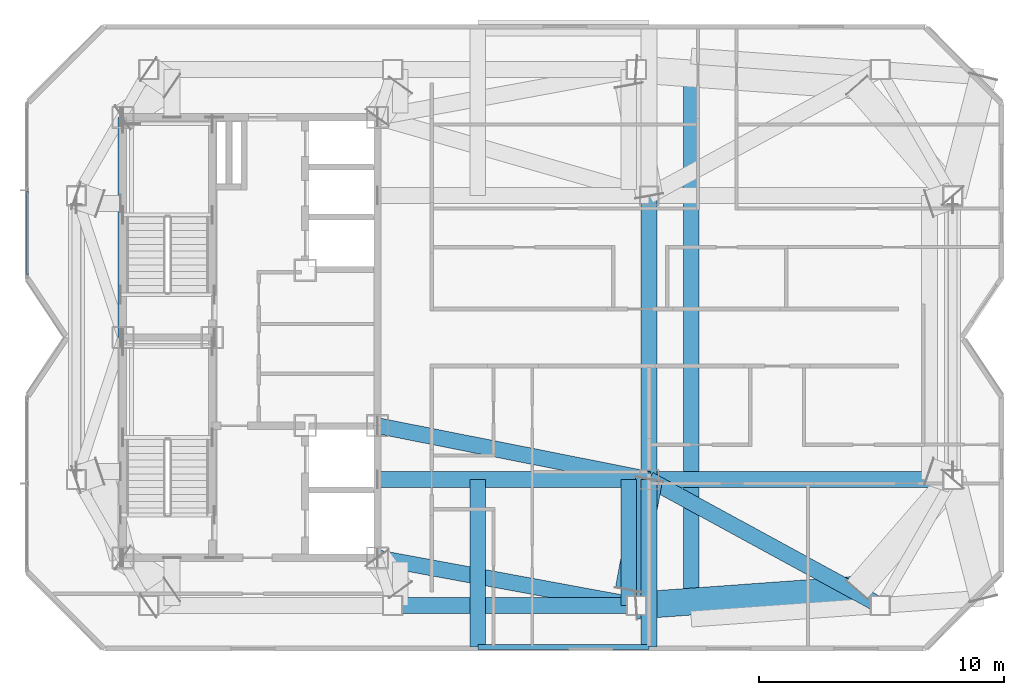
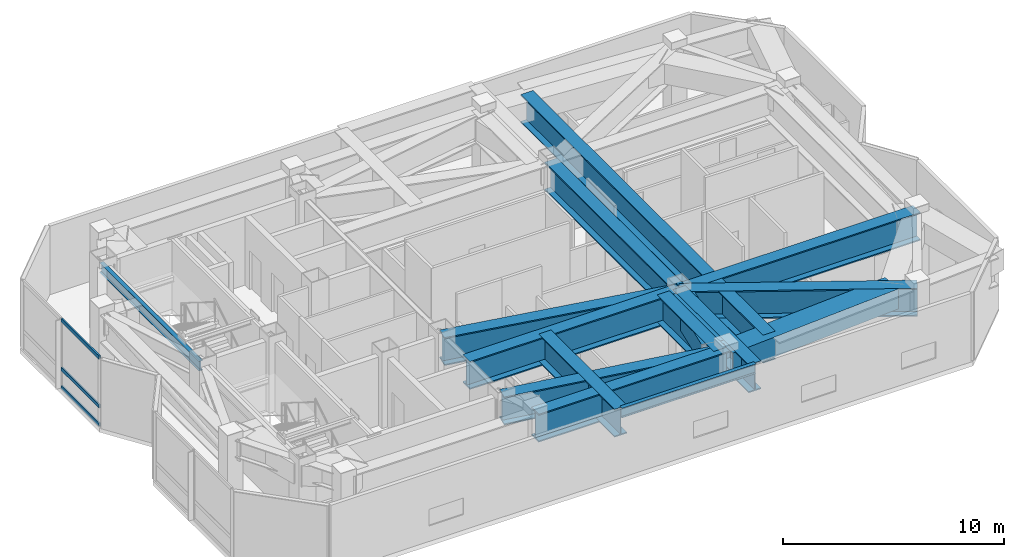
# One storey, part 4 of 15: 15 beams, 3 members, 1 element without a shape of its own.
"""IFC4 building model written with IfcOpenShell, lengths in metres."""

import ifcopenshell
import ifcopenshell.guid

model = None  # the IFC model being written
_history = None  # IfcOwnerHistory: only IFC2X3 demands one
_inside = {}  # id of a spatial element -> (the spatial element, [elements in it])
_under = {}  # id of a project, library or spatial element -> (it, [spatial elements below it])
_declared = {}  # id of a project -> (the project, [libraries it declares])
_typed = {}  # id of a type object -> (the type object, [elements of that type])
_made_of = {}  # id of a material, layer set ... -> (it, [elements and type objects made of it])


def new_model(schema):
    """Start an empty IFC model of exactly this schema.

    Asked for "IFC4X3", IfcOpenShell would pick the latest addendum, in which some entities
    have other attributes; the version numbers below select the first issue.
    IFC2X3 requires an IfcOwnerHistory on every rooted entity: one is made here for all.
    """
    global model, _history
    if schema == "IFC4X3":
        model = ifcopenshell.file(schema_version=(4, 3, 0, 0))
    else:
        model = ifcopenshell.file(schema=schema)
    _inside.clear()
    _under.clear()
    _declared.clear()
    _typed.clear()
    _made_of.clear()
    _history = None
    if model.schema == "IFC2X3":
        org = make("IfcOrganization", Name="unknown")
        user = make(
            "IfcPersonAndOrganization",
            ThePerson=make("IfcPerson", FamilyName="unknown"),
            TheOrganization=org,
        )
        app = make(
            "IfcApplication",
            ApplicationDeveloper=org,
            Version="unknown",
            ApplicationFullName="unknown",
            ApplicationIdentifier="unknown",
        )
        _history = make(
            "IfcOwnerHistory",
            OwningUser=user,
            OwningApplication=app,
            ChangeAction="ADDED",
            CreationDate=0,
        )
    return model


def make(cls, **values):
    """One entity of the class cls with the attributes given. An attribute that is None is left unset."""
    return model.create_entity(
        cls, **{name: value for name, value in values.items() if value is not None}
    )


def rooted(cls, **values):
    """An entity with a GlobalId (a new one), such as an element, a storey or a relation."""
    return make(cls, GlobalId=ifcopenshell.guid.new(), OwnerHistory=_history, **values)


def si_unit(unit_type, name, prefix=None):
    """IfcSIUnit, for example si_unit("LENGTHUNIT", "METRE", prefix="MILLI")."""
    return make("IfcSIUnit", UnitType=unit_type, Prefix=prefix, Name=name)


def assignment(units):
    """IfcUnitAssignment: the units of a project."""
    return None if units is None else make("IfcUnitAssignment", Units=units)


def point(xyz):
    """IfcCartesianPoint."""
    return None if xyz is None else make("IfcCartesianPoint", Coordinates=xyz)


def direction(xyz):
    """IfcDirection."""
    return None if xyz is None else make("IfcDirection", DirectionRatios=xyz)


def frame(location, z_axis=None, x_axis=None):
    """IfcAxis2Placement3D, a coordinate frame: its origin and axes. An axis left out is left unset."""
    return make(
        "IfcAxis2Placement3D",
        Location=point(location),
        Axis=direction(z_axis),
        RefDirection=direction(x_axis),
    )


def frame_2d(location, x_axis=None):
    """IfcAxis2Placement2D, a coordinate frame in the plane: its origin and x axis."""
    return make(
        "IfcAxis2Placement2D", Location=point(location), RefDirection=direction(x_axis)
    )


def origin():
    """The frame at (0, 0, 0) with its axes left unset."""
    return frame((0.0, 0.0, 0.0))


def origin_2d():
    """The frame at (0, 0) in the plane with its x axis left unset."""
    return frame_2d((0.0, 0.0))


def place(relative_to, where):
    """IfcLocalPlacement: puts the frame where relative to a parent placement (None: the world)."""
    return make(
        "IfcLocalPlacement", PlacementRelTo=relative_to, RelativePlacement=where
    )


def context(
    kind, dimensions, precision=None, world=None, true_north=None, identifier=None
):
    """IfcGeometricRepresentationContext, for example the 3D "Model" context."""
    return make(
        "IfcGeometricRepresentationContext",
        ContextIdentifier=identifier,
        ContextType=kind,
        CoordinateSpaceDimension=dimensions,
        Precision=precision,
        WorldCoordinateSystem=world,
        TrueNorth=true_north,
    )


def subcontext(parent, identifier, kind, view, scale=None):
    """IfcGeometricRepresentationSubContext, for example "Body" below "Model"."""
    return make(
        "IfcGeometricRepresentationSubContext",
        ContextIdentifier=identifier,
        ContextType=kind,
        ParentContext=parent,
        TargetScale=scale,
        TargetView=view,
    )


def project(units=None, contexts=None):
    """IfcProject with its units and contexts."""
    return rooted(
        "IfcProject",
        Name="project",
        RepresentationContexts=contexts,
        UnitsInContext=assignment(units),
    )


def spatial(cls, under=None, at=None, **own):
    """A site, building, storey or space (cls), placed at a placement, below another one or the project."""
    s = rooted(cls, ObjectPlacement=at, **own)
    if under is not None:
        _under.setdefault(under.id(), (under, []))[1].append(s)
    return s


def profile(cls, at=None, kind="AREA", **sizes):
    """A parametric profile (cls). Its sizes go by their IFC names, for example OverallWidth=200.0."""
    return make(cls, ProfileType=kind, Position=at, **sizes)


def hollow_rectangle(**sizes):
    """IfcRectangleHollowProfileDef."""
    return profile("IfcRectangleHollowProfileDef", **sizes)


def i_section(**sizes):
    """IfcIShapeProfileDef."""
    return profile("IfcIShapeProfileDef", **sizes)


def extrude(swept, where, along, depth):
    """IfcExtrudedAreaSolid: the profile swept, set in the frame where, extruded along a direction by depth."""
    return make(
        "IfcExtrudedAreaSolid",
        SweptArea=swept,
        Position=where,
        ExtrudedDirection=direction(along),
        Depth=depth,
    )


def shape(context_of_items, identifier, shape_type, items):
    """IfcShapeRepresentation: the items that make up one representation, for example the "Body"."""
    return make(
        "IfcShapeRepresentation",
        ContextOfItems=context_of_items,
        RepresentationIdentifier=identifier,
        RepresentationType=shape_type,
        Items=items,
    )


def material(Name=None, Category=None):
    """IfcMaterial."""
    return make("IfcMaterial", Name=Name, Category=Category)


def material_profile(
    of_material, cross_section, Name=None, Category=None, Priority=None
):
    """IfcMaterialProfile: a cross section and its material."""
    return make(
        "IfcMaterialProfile",
        Name=Name,
        Material=of_material,
        Profile=cross_section,
        Priority=Priority,
        Category=Category,
    )


def profile_set(profiles, Name=None, composite=None):
    """IfcMaterialProfileSet."""
    return make(
        "IfcMaterialProfileSet",
        Name=Name,
        MaterialProfiles=profiles,
        CompositeProfile=composite,
    )


def made_of(thing, what):
    """Note that an element or type object is made of a material, layer set ...; save() writes the relation."""
    if what is not None:
        _made_of.setdefault(what.id(), (what, []))[1].append(thing)
    return thing


def type_object(cls, material=None, **own):
    """A type object (cls), such as IfcWallType, which elements share."""
    return made_of(rooted(cls, **own), material)


def element(
    cls,
    number,
    at=None,
    inside=None,
    cuts=None,
    type_object=None,
    material=None,
    context=None,
    identifier="Body",
    shape_type=None,
    held_by="IfcProductDefinitionShape",
    body=None,
    shapes=None,
    **own,
):
    """One element of the class cls, such as IfcWall. Its Tag is "e" and its number.

    at: its placement. inside: the storey or other place that contains it. cuts: it is an
    opening in that element (IfcRelVoidsElement). A single representation is given by context,
    identifier, shape_type and body (its items); several are given by shapes. held_by: the class
    of the entity that holds the representations. save() writes the other relations.
    """
    e = rooted(cls, Tag="e%d" % number, ObjectPlacement=at, **own)
    if body is not None:
        shapes = [shape(context, identifier, shape_type, body)]
    if shapes is not None:
        e.Representation = make(held_by, Representations=shapes)
    if inside is not None:
        _inside.setdefault(inside.id(), (inside, []))[1].append(e)
    if cuts is not None:
        rooted(
            "IfcRelVoidsElement", RelatingBuildingElement=cuts, RelatedOpeningElement=e
        )
    if type_object is not None:
        _typed.setdefault(type_object.id(), (type_object, []))[1].append(e)
    return made_of(e, material)


def aggregate(whole, parts):
    """IfcRelAggregates: a whole, such as a stair, and the parts it consists of."""
    return rooted("IfcRelAggregates", RelatingObject=whole, RelatedObjects=parts)


def save(model, path):
    """Write the relations noted so far, then the file.

    IfcRelAggregates (storeys below a building ...), IfcRelContainedInSpatialStructure (elements
    in a storey), IfcRelDefinesByType, IfcRelAssociatesMaterial and IfcRelDeclares: one each for
    every whole, place, type object, material and project.
    """
    for whole, parts in _under.values():
        aggregate(whole, parts)
    for where, things in _inside.values():
        rooted(
            "IfcRelContainedInSpatialStructure",
            RelatedElements=things,
            RelatingStructure=where,
        )
    for kind, things in _typed.values():
        rooted("IfcRelDefinesByType", RelatedObjects=things, RelatingType=kind)
    for what, things in _made_of.values():
        rooted("IfcRelAssociatesMaterial", RelatedObjects=things, RelatingMaterial=what)
    for by, libraries in _declared.values():
        rooted("IfcRelDeclares", RelatingContext=by, RelatedDefinitions=libraries)
    model.write(path)


model = new_model("IFC4")

# Units and contexts
model_context = context("Model", 3, precision=1e-05, world=origin(), true_north=direction((0.0, 1.0)))
body_context = subcontext(model_context, "Body", "Model", "MODEL_VIEW")
ifc_project = project(units=[si_unit("LENGTHUNIT", "METRE"), si_unit("AREAUNIT", "SQUARE_METRE"), si_unit("VOLUMEUNIT", "CUBIC_METRE"), si_unit("PLANEANGLEUNIT", "RADIAN"), si_unit("MASSUNIT", "GRAM", prefix="KILO")], contexts=[model_context])

# Site, building, storey
site_placement = place(None, origin())
site = spatial("IfcSite", under=ifc_project, at=site_placement, CompositionType="ELEMENT")
building_placement = place(site_placement, origin())
building = spatial("IfcBuilding", under=site, at=building_placement, Name="Khamvora Tower", CompositionType="ELEMENT")
storey_placement = place(building_placement, frame((0.0, 0.0, 290.449951171875)))
storey = spatial("IfcBuildingStorey", under=building, at=storey_placement, Name="L74", CompositionType="ELEMENT", Elevation=290.449951171875)

# Beams
ifc_material_1 = material(Name="Steel S355", Category="steel")
ifc_material_profile_1 = material_profile(ifc_material_1, i_section(OverallWidth=0.208984375, OverallDepth=0.532958984375, WebThickness=0.010009765625, FlangeThickness=0.01611328125, FilletRadius=0.013916015625, at=origin_2d()), Name="W530x92")
ifc_profile_set_1 = profile_set([ifc_material_profile_1], Name="Steel S355")
beam_type_1 = type_object("IfcBeamType", Name="BM-SP-W530x92", PredefinedType="SPANDREL", material=ifc_profile_set_1)
beam_1_placement = place(storey_placement, frame((43.5, 15.35009765625, 3.51416015625), z_axis=(1.0, 0.0, 0.0), x_axis=(0.0, 1.0, 0.0)))
element("IfcBeam", 1, at=beam_1_placement, inside=storey, type_object=beam_type_1, Name="L74 south terrace edge header beam", PredefinedType="SPANDREL", context=body_context, shape_type="SweptSolid", body=[
    extrude(i_section(OverallWidth=0.208984375, OverallDepth=0.532958984375, WebThickness=0.010009765625, FlangeThickness=0.01611328125, FilletRadius=0.013916015625, at=origin_2d()), origin(), (0.0, 0.0, 1.0), 7.0),
])
beam_2_placement = place(storey_placement, frame((28.89990234375, 28.0, 3.51416015625), z_axis=(0.0, 1.0, 0.0), x_axis=(-1.0, 0.0, 0.0)))
element("IfcBeam", 2, at=beam_2_placement, inside=storey, type_object=beam_type_1, Name="L74 core spine girder WN", PredefinedType="SPANDREL", context=body_context, shape_type="SweptSolid", body=[
    extrude(i_section(OverallWidth=0.208984375, OverallDepth=0.532958984375, WebThickness=0.010009765625, FlangeThickness=0.01611328125, FilletRadius=0.013916015625, at=origin_2d()), origin(), (0.0, 0.0, 1.0), 9.0),
])
ifc_material_2 = material(Name="Steel S460", Category="steel")
ifc_material_profile_2 = material_profile(ifc_material_2, hollow_rectangle(XDim=1.10009765625, YDim=1.10009765625, WallThickness=0.054931640625, at=origin_2d()), Name="BOX1100x1100x55")
ifc_profile_set_2 = profile_set([ifc_material_profile_2], Name="Steel S460")
beam_type_2 = type_object("IfcBeamType", Name="BM-TG-BOX1100", PredefinedType="BEAM", material=ifc_profile_set_2)
beam_3_placement = place(storey_placement, frame((50.5, 22.199951171875, 3.22998046875), z_axis=(-0.182020488605, -0.983294737974, 0.0), x_axis=(0.983294737974, -0.182020488605, 0.0)))
element("IfcBeam", 3, at=beam_3_placement, inside=storey, type_object=beam_type_2, Name="L74 setback frame transfer frame transfer link S3.2", PredefinedType="BEAM", context=body_context, shape_type="SweptSolid", body=[
    extrude(hollow_rectangle(XDim=1.10009765625, YDim=1.10009765625, WallThickness=0.054931640625, at=origin_2d()), origin(), (0.0, 0.0, 1.0), 4.576416015625),
])
beam_4_placement = place(storey_placement, frame((49.98291015625, 17.050048828125, 3.22998046875), z_axis=(0.99741270828, 0.071888033504, 0.0), x_axis=(-0.071888033504, 0.99741270828, 0.0)))
element("IfcBeam", 4, at=beam_4_placement, inside=storey, type_object=beam_type_2, Name="L74 setback frame transfer frame transfer link S4.3", PredefinedType="BEAM", context=body_context, shape_type="SweptSolid", body=[
    extrude(hollow_rectangle(XDim=1.10009765625, YDim=1.10009765625, WallThickness=0.054931640625, at=origin_2d()), origin(), (0.0, 0.0, 1.0), 9.04052734375),
])
ifc_material_profile_3 = material_profile(ifc_material_2, i_section(OverallWidth=0.64990234375, OverallDepth=1.550048828125, WebThickness=0.0400390625, FlangeThickness=0.06494140625, at=origin_2d()), Name="PG1550x650x40x65")
ifc_profile_set_3 = profile_set([ifc_material_profile_3], Name="Steel S460")
beam_type_3 = type_object("IfcBeamType", Name="BM-TG-PG1800", PredefinedType="BEAM", material=ifc_profile_set_3)
beam_5_placement = place(storey_placement, frame((40.01708984375, 17.050048828125, 3.005126953125), z_axis=(1.0, 0.0, 0.0), x_axis=(0.0, 1.0, 0.0)))
element("IfcBeam", 5, at=beam_5_placement, inside=storey, type_object=beam_type_3, Name="L74 perimeter spandrel beam S2-S3", PredefinedType="BEAM", context=body_context, shape_type="SweptSolid", body=[
    extrude(i_section(OverallWidth=0.64990234375, OverallDepth=1.550048828125, WebThickness=0.0400390625, FlangeThickness=0.06494140625, at=origin_2d()), origin(), (0.0, 0.0, 1.0), 9.9658203125),
])
beam_6_placement = place(storey_placement, frame((39.39990234375, 22.199951171875, 3.005126953125), z_axis=(1.0, 0.0, 0.0), x_axis=(0.0, 1.0, 0.0)))
element("IfcBeam", 6, at=beam_6_placement, inside=storey, type_object=beam_type_3, Name="L74 south terrace back-span collector girder", PredefinedType="BEAM", context=body_context, shape_type="SweptSolid", body=[
    extrude(i_section(OverallWidth=0.64990234375, OverallDepth=1.550048828125, WebThickness=0.0400390625, FlangeThickness=0.06494140625, at=origin_2d()), origin(), (0.0, 0.0, 1.0), 11.10009765625),
])
for number, where, z_axis, x_axis, name in (
    (7, (43.5, 22.199951171875, 3.005126953125), (0.0, -1.0, 0.0), (1.0, 0.0, 0.0), "L74 south terrace cantilever girder 1"),
    (8, (50.5, 22.199951171875, 3.005126953125), (0.0, -1.0, 0.0), (1.0, 0.0, 0.0), "L74 south terrace cantilever girder 2"),
):
    element("IfcBeam", number, at=place(storey_placement, frame(where, z_axis=z_axis, x_axis=x_axis)), inside=storey, type_object=beam_type_3, Name=name, PredefinedType="BEAM", context=body_context, shape_type="SweptSolid", body=[
        extrude(i_section(OverallWidth=0.64990234375, OverallDepth=1.550048828125, WebThickness=0.0400390625, FlangeThickness=0.06494140625, at=origin_2d()), origin(), (0.0, 0.0, 1.0), 6.849853515625),
    ])
beam_7_placement = place(storey_placement, frame((50.5, 22.199951171875, 3.005126953125), z_axis=(0.0, 1.0, 0.0), x_axis=(-1.0, 0.0, 0.0)))
element("IfcBeam", 9, at=beam_7_placement, inside=storey, type_object=beam_type_3, Name="L74 longitudinal frame girder M1-M2", PredefinedType="BEAM", context=body_context, shape_type="SweptSolid", body=[
    extrude(i_section(OverallWidth=0.64990234375, OverallDepth=1.550048828125, WebThickness=0.0400390625, FlangeThickness=0.06494140625, at=origin_2d()), origin(), (0.0, 0.0, 1.0), 11.60009765625),
])
beam_8_placement = place(storey_placement, frame((50.5, 22.199951171875, 3.005126953125), z_axis=(0.878075836292, -0.478521499748, 0.0), x_axis=(0.478521499748, 0.878075836292, 0.0)))
element("IfcBeam", 10, at=beam_8_placement, inside=storey, type_object=beam_type_3, Name="L74 primary floor girder S4", PredefinedType="BEAM", context=body_context, shape_type="SweptSolid", body=[
    extrude(i_section(OverallWidth=0.64990234375, OverallDepth=1.550048828125, WebThickness=0.0400390625, FlangeThickness=0.06494140625, at=origin_2d()), origin(), (0.0, 0.0, 1.0), 10.76220703125),
])
beam_9_placement = place(storey_placement, frame((50.5, 22.199951171875, 3.005126953125), z_axis=(1.0, 0.0, 0.0), x_axis=(0.0, 1.0, 0.0)))
element("IfcBeam", 11, at=beam_9_placement, inside=storey, type_object=beam_type_3, Name="L74 primary floor girder E1", PredefinedType="BEAM", context=body_context, shape_type="SweptSolid", body=[
    extrude(i_section(OverallWidth=0.64990234375, OverallDepth=1.550048828125, WebThickness=0.0400390625, FlangeThickness=0.06494140625, at=origin_2d()), origin(), (0.0, 0.0, 1.0), 12.39990234375),
])
beam_10_placement = place(storey_placement, frame((39.39990234375, 24.39990234375, 3.005126953125), z_axis=(0.980920240909, -0.194410598927, 0.0), x_axis=(0.194410598927, 0.980920240909, 0.0)))
element("IfcBeam", 12, at=beam_10_placement, inside=storey, type_object=beam_type_3, Name="L74 primary floor girder M1", PredefinedType="BEAM", context=body_context, shape_type="SweptSolid", body=[
    extrude(i_section(OverallWidth=0.64990234375, OverallDepth=1.550048828125, WebThickness=0.0400390625, FlangeThickness=0.06494140625, at=origin_2d()), origin(), (0.0, 0.0, 1.0), 11.31591796875),
])
beam_11_placement = place(storey_placement, frame((39.39990234375, 19.0, 3.005126953125), z_axis=(0.983445741851, -0.181202849962, 0.0), x_axis=(0.181202849962, 0.983445741851, 0.0)))
element("IfcBeam", 13, at=beam_11_placement, inside=storey, type_object=beam_type_3, Name="L74 setback frame transfer core tie girder ES", PredefinedType="BEAM", context=body_context, shape_type="SweptSolid", body=[
    extrude(i_section(OverallWidth=0.64990234375, OverallDepth=1.550048828125, WebThickness=0.0400390625, FlangeThickness=0.06494140625, at=origin_2d()), origin(), (0.0, 0.0, 1.0), 10.76123046875),
])
beam_12_placement = place(storey_placement, frame((49.6669921875, 17.050048828125, 3.005126953125), z_axis=(0.0, 1.0, 0.0), x_axis=(-1.0, 0.0, 0.0)))
element("IfcBeam", 14, at=beam_12_placement, inside=storey, type_object=beam_type_3, Name="L74 setback frame transfer Box Girder S3", PredefinedType="BEAM", context=body_context, shape_type="SweptSolid", body=[
    extrude(i_section(OverallWidth=0.64990234375, OverallDepth=1.550048828125, WebThickness=0.0400390625, FlangeThickness=0.06494140625, at=origin_2d()), origin(), (0.0, 0.0, 1.0), 5.14990234375),
])
beam_13_placement = place(storey_placement, frame((52.221923828125, 17.050048828125, 3.005126953125), z_axis=(0.0, 1.0, 0.0), x_axis=(-1.0, 0.0, 0.0)))
element("IfcBeam", 15, at=beam_13_placement, inside=storey, type_object=beam_type_3, Name="L74 setback frame transfer back-span anchor girder EC1", PredefinedType="BEAM", context=body_context, shape_type="SweptSolid", body=[
    extrude(i_section(OverallWidth=0.64990234375, OverallDepth=1.550048828125, WebThickness=0.0400390625, FlangeThickness=0.06494140625, at=origin_2d()), origin(), (0.0, 0.0, 1.0), 21.89990234375),
])

# Curtain wall, members
ifc_material_3 = material(Name="Anodised Aluminium 6063-T6", Category="aluminium")
curtain_wall_type = type_object("IfcCurtainWallType", Name="CW-SYS-06", PredefinedType="NOTDEFINED", material=ifc_material_3)
curtain_wall_placement = place(storey_placement, origin())
curtain_wall = element("IfcCurtainWall", 16, at=curtain_wall_placement, inside=storey, type_object=curtain_wall_type, Name="L74 stick curtain wall 05.1", PredefinedType="NOTDEFINED")
ifc_material_profile_4 = material_profile(ifc_material_3, hollow_rectangle(XDim=0.080078125, YDim=0.195068359375, WallThickness=0.0048828125, at=origin_2d()), Name="TRN80x195x5")
ifc_profile_set_4 = profile_set([ifc_material_profile_4], Name="Anodised Aluminium 6063-T6")
member_type = type_object("IfcMemberType", Name="CW-SYS-06-TRN", PredefinedType="USERDEFINED", material=ifc_profile_set_4)
member_1_placement = place(storey_placement, frame((25.10009765625, 30.556884765625, 0.0400390625), z_axis=(0.0, 1.0, 0.0), x_axis=(-1.0, 0.0, 0.0)))
member_1 = element("IfcMember", 17, at=member_1_placement, type_object=member_type, Name="CW-06 transom 1.1", ObjectType="TRANSOM", PredefinedType="USERDEFINED", context=body_context, shape_type="SweptSolid", body=[
    extrude(hollow_rectangle(XDim=0.080078125, YDim=0.195068359375, WallThickness=0.0048828125, at=origin_2d()), origin(), (0.0, 0.0, 1.0), 3.421142578125),
])
member_2_placement = place(storey_placement, frame((25.10009765625, 30.556884765625, 1.050048828125), z_axis=(0.0, 1.0, 0.0), x_axis=(-1.0, 0.0, 0.0)))
member_2 = element("IfcMember", 18, at=member_2_placement, type_object=member_type, Name="CW-06 transom 1.2", ObjectType="TRANSOM", PredefinedType="USERDEFINED", context=body_context, shape_type="SweptSolid", body=[
    extrude(hollow_rectangle(XDim=0.080078125, YDim=0.195068359375, WallThickness=0.0048828125, at=origin_2d()), origin(), (0.0, 0.0, 1.0), 3.421142578125),
])
member_3_placement = place(storey_placement, frame((25.10009765625, 30.556884765625, 3.739990234375), z_axis=(0.0, 1.0, 0.0), x_axis=(-1.0, 0.0, 0.0)))
member_3 = element("IfcMember", 19, at=member_3_placement, type_object=member_type, Name="CW-06 transom 1.3", ObjectType="TRANSOM", PredefinedType="USERDEFINED", context=body_context, shape_type="SweptSolid", body=[
    extrude(hollow_rectangle(XDim=0.080078125, YDim=0.195068359375, WallThickness=0.0048828125, at=origin_2d()), origin(), (0.0, 0.0, 1.0), 3.421142578125),
])
aggregate(curtain_wall, [member_1, member_2, member_3])

save(model, "model.ifc")
